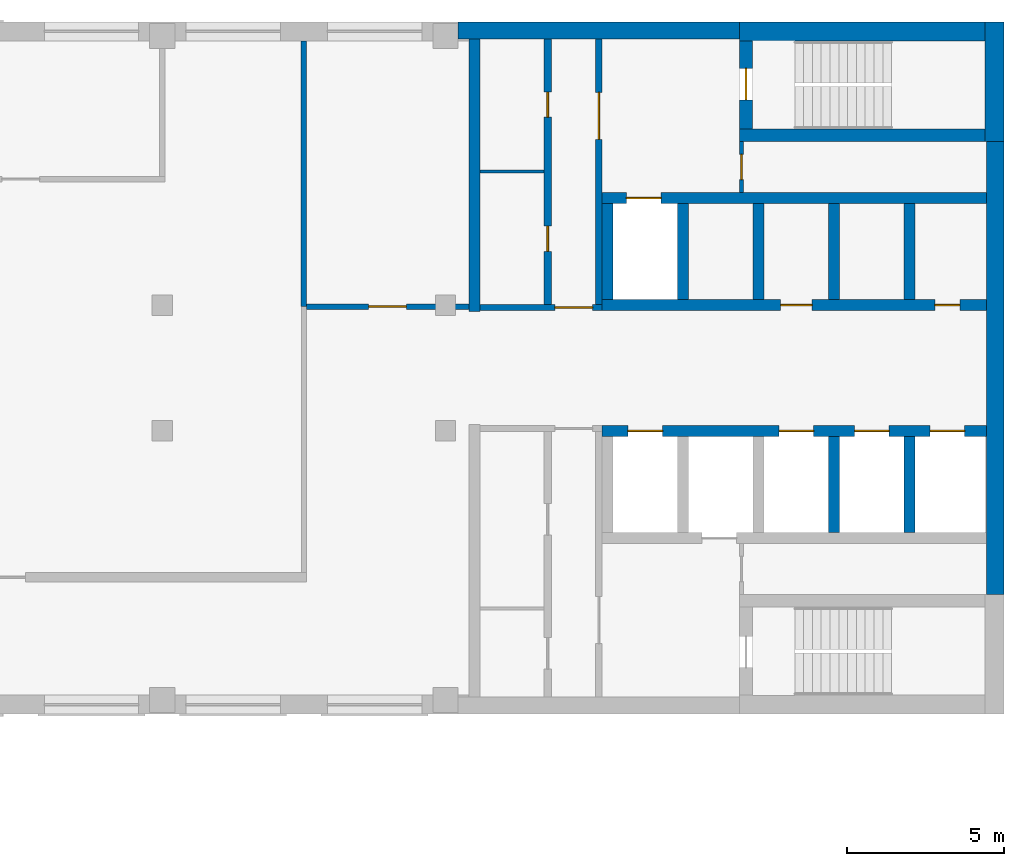
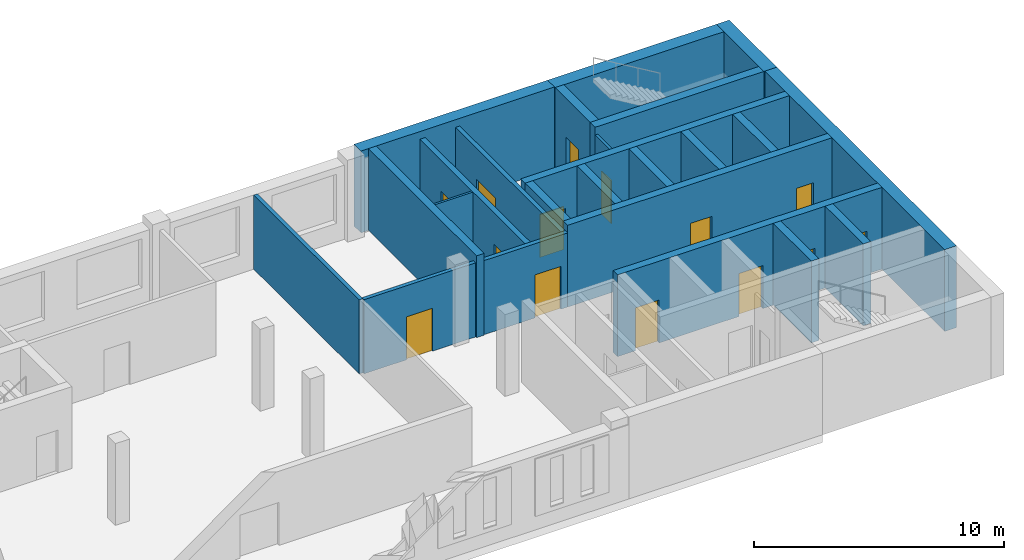
# One storey, part 6 of 8: 24 walls, 14 doors, 14 openings.
"""IFC4 building model written with IfcOpenShell, lengths in metres."""

from ifc_helpers import new_model, si_unit, direction, frame, frame_2d, origin, place, context, subcontext, project, spatial, rectangle, extrude, material, layer, layer_set, type_object, element, fill, save


model = new_model("IFC4")

# Units and contexts
model_context = context("Model", 3, precision=1e-05, world=origin(), true_north=direction((0.0, 1.0)))
body_context = subcontext(model_context, "Body", "Model", "MODEL_VIEW")
ifc_project = project(units=[si_unit("LENGTHUNIT", "METRE"), si_unit("AREAUNIT", "SQUARE_METRE"), si_unit("VOLUMEUNIT", "CUBIC_METRE"), si_unit("PLANEANGLEUNIT", "RADIAN"), si_unit("MASSUNIT", "GRAM", prefix="KILO")], contexts=[model_context])

# Site, building, storey
site_placement = place(None, origin())
site = spatial("IfcSite", under=ifc_project, at=site_placement, CompositionType="ELEMENT")
building_placement = place(site_placement, origin())
building = spatial("IfcBuilding", under=site, at=building_placement, Name="Skarvind Civic Tower", CompositionType="ELEMENT")
storey_placement = place(building_placement, frame((0.0, 0.0, 170.5)))
storey = spatial("IfcBuildingStorey", under=building, at=storey_placement, Name="L40", CompositionType="ELEMENT", Elevation=170.5)

# Wall
ifc_material_1 = material(Name="Acoustic gypsum board on steel studs", Category="steel")
ifc_layer_1 = layer(ifc_material_1, 0.175048828125)
ifc_layer_set_1 = layer_set([ifc_layer_1], Name="ACOUSTIC MEETING-ROOM PARTITION 175")
wall_type_1 = type_object("IfcWallType", Name="ACOUSTIC MEETING-ROOM PARTITION 175", PredefinedType="PARTITIONING", material=ifc_layer_set_1)
wall_1_placement = place(storey_placement, frame((85.75, 129.949951171875, 0.0), z_axis=(0.0, 0.0, 1.0), x_axis=(0.0, 1.0, 0.0)))
element("IfcWall", 1, at=wall_1_placement, inside=storey, type_object=wall_type_1, Name="Partition 40.044", PredefinedType="PARTITIONING", context=body_context, shape_type="SweptSolid", body=[
    extrude(rectangle(XDim=8.449951171875, YDim=0.175048828125, at=frame_2d((4.22509765625, 0.0))), origin(), (0.0, 0.0, 1.0), 3.625),
])

# Wall, opening, door
wall_2_placement = place(storey_placement, frame((85.837890625, 129.949951171875, 0.0), z_axis=(0.0, 0.0, 1.0), x_axis=(1.0, 0.0, 0.0)))
wall_2 = element("IfcWall", 2, at=wall_2_placement, inside=storey, type_object=wall_type_1, Name="Partition 40.045", PredefinedType="PARTITIONING", context=body_context, shape_type="SweptSolid", body=[
    extrude(rectangle(XDim=5.162109375, YDim=0.175048828125, at=frame_2d((2.5810546875, 0.0))), origin(), (0.0, 0.0, 1.0), 3.625),
])
opening_1_placement = place(wall_2_placement, frame((1.970947265625, 0.0, 0.0)))
opening_1 = element("IfcOpeningElement", 3, at=opening_1_placement, cuts=wall_2, Name="Opening L40-D001", PredefinedType="OPENING", context=body_context, shape_type="SweptSolid", body=[
    extrude(rectangle(XDim=1.199951171875, YDim=2.10009765625, at=frame_2d((0.60009765625, 1.050048828125))), frame((0.0, 0.097412109375, 0.0), z_axis=(0.0, -1.0, 0.0), x_axis=(1.0, 0.0, 0.0)), (0.0, 0.0, 1.0), 0.195068359375),
])
ifc_material_2 = material(Name="Timber door leaf", Category="wood")
door_type_1 = type_object("IfcDoorType", Name="DOOR 1200X2100 DOUBLE TIMBER", OperationType="NOTDEFINED", PredefinedType="DOOR", material=ifc_material_2)
door_1_placement = place(opening_1_placement, origin())
door_1 = element("IfcDoor", 4, at=door_1_placement, inside=storey, type_object=door_type_1, Name="Door L40-D001", OperationType="DOUBLE_DOOR_SINGLE_SWING", OverallHeight=2.10009765625, OverallWidth=1.199951171875, PredefinedType="DOOR", context=body_context, shape_type="SweptSolid", body=[
    extrude(rectangle(XDim=1.199951171875, YDim=2.10009765625, at=frame_2d((0.60009765625, 1.050048828125))), frame((0.0, 0.02490234375, 0.0), z_axis=(0.0, -1.0, 0.0), x_axis=(1.0, 0.0, 0.0)), (0.0, 0.0, 1.0), 0.050048828125),
])
fill(opening_1, door_1)

ifc_material_3 = material(Name="Fire-rated masonry partition", Category="masonry")
ifc_layer_2 = layer(ifc_material_3, 0.199951171875)
ifc_layer_set_2 = layer_set([ifc_layer_2], Name="Core enclosure wall 200")
wall_type_2 = type_object("IfcWallType", Name="Core enclosure wall 200", PredefinedType="PARTITIONING", material=ifc_layer_set_2)
wall_3_placement = place(storey_placement, frame((91.35009765625, 129.925048828125, 0.0), z_axis=(0.0, 0.0, 1.0), x_axis=(1.0, 0.0, 0.0)))
wall_3 = element("IfcWall", 5, at=wall_3_placement, inside=storey, type_object=wall_type_2, Name="Core wall C1", PredefinedType="PARTITIONING", context=body_context, shape_type="SweptSolid", body=[
    extrude(rectangle(XDim=3.875, YDim=0.199951171875, at=frame_2d((1.9375, 0.0))), origin(), (0.0, 0.0, 1.0), 3.625),
])
opening_2_placement = place(wall_3_placement, frame((2.375, 0.0, 0.0)))
opening_2 = element("IfcOpeningElement", 6, at=opening_2_placement, cuts=wall_3, Name="Opening D-L40-C1-13", PredefinedType="OPENING", context=body_context, shape_type="SweptSolid", body=[
    extrude(rectangle(XDim=1.199951171875, YDim=2.10009765625, at=frame_2d((0.60009765625, 1.050048828125))), frame((0.0, 0.10986328125, 0.0), z_axis=(0.0, -1.0, 0.0), x_axis=(1.0, 0.0, 0.0)), (0.0, 0.0, 1.0), 0.219970703125),
])
ifc_material_4 = material(Name="Fire-rated steel door", Category="steel")
door_type_2 = type_object("IfcDoorType", Name="Core lobby door 1200", OperationType="NOTDEFINED", PredefinedType="DOOR", material=ifc_material_4)
door_2_placement = place(opening_2_placement, origin())
door_2 = element("IfcDoor", 7, at=door_2_placement, inside=storey, type_object=door_type_2, Name="Fire door", OperationType="DOUBLE_DOOR_SINGLE_SWING", OverallHeight=2.10009765625, OverallWidth=1.199951171875, PredefinedType="DOOR", context=body_context, shape_type="SweptSolid", body=[
    extrude(rectangle(XDim=1.199951171875, YDim=2.10009765625, at=frame_2d((0.60009765625, 1.050048828125))), frame((0.0, 0.02490234375, 0.0), z_axis=(0.0, -1.0, 0.0), x_axis=(1.0, 0.0, 0.0)), (0.0, 0.0, 1.0), 0.050048828125),
])
fill(opening_2, door_2)

wall_4_placement = place(storey_placement, frame((95.125, 130.02490234375, 0.0), z_axis=(0.0, 0.0, 1.0), x_axis=(0.0, 1.0, 0.0)))
wall_4 = element("IfcWall", 8, at=wall_4_placement, inside=storey, type_object=wall_type_2, Name="Core wall C1", PredefinedType="PARTITIONING", context=body_context, shape_type="SweptSolid", body=[
    extrude(rectangle(XDim=8.425048828125, YDim=0.199951171875, at=frame_2d((4.21240234375, 0.0))), origin(), (0.0, 0.0, 1.0), 3.625),
])
opening_3_placement = place(wall_4_placement, frame((5.237548828125, 0.0, 0.0)))
opening_3 = element("IfcOpeningElement", 9, at=opening_3_placement, cuts=wall_4, Name="Opening D-L40-C1-14", PredefinedType="OPENING", context=body_context, shape_type="SweptSolid", body=[
    extrude(rectangle(XDim=1.5, YDim=2.10009765625, at=frame_2d((0.75, 1.050048828125))), frame((0.0, 0.10986328125, 0.0), z_axis=(0.0, -1.0, 0.0), x_axis=(1.0, 0.0, 0.0)), (0.0, 0.0, 1.0), 0.219970703125),
])
door_type_3 = type_object("IfcDoorType", Name="Fire door 1500", OperationType="NOTDEFINED", PredefinedType="DOOR", material=ifc_material_4)
door_3_placement = place(opening_3_placement, origin())
door_3 = element("IfcDoor", 10, at=door_3_placement, inside=storey, type_object=door_type_3, Name="Fire door", OperationType="DOUBLE_DOOR_SINGLE_SWING", OverallHeight=2.10009765625, OverallWidth=1.5, PredefinedType="DOOR", context=body_context, shape_type="SweptSolid", body=[
    extrude(rectangle(XDim=1.5, YDim=2.10009765625, at=frame_2d((0.75, 1.050048828125))), frame((0.0, 0.02490234375, 0.0), z_axis=(0.0, -1.0, 0.0), x_axis=(1.0, 0.0, 0.0)), (0.0, 0.0, 1.0), 0.050048828125),
])
fill(opening_3, door_3)

# Wall
ifc_material_5 = material(Name="Fire-rated plasterboard partition")
ifc_layer_3 = layer(ifc_material_5, 0.10009765625)
ifc_layer_set_3 = layer_set([ifc_layer_3], Name="Core partition wall 100")
wall_type_3 = type_object("IfcWallType", Name="Core partition wall 100", PredefinedType="PARTITIONING", material=ifc_layer_set_3)
wall_5_placement = place(storey_placement, frame((91.35009765625, 134.239990234375, 0.0), z_axis=(0.0, 0.0, 1.0), x_axis=(1.0, 0.0, 0.0)))
element("IfcWall", 11, at=wall_5_placement, inside=storey, type_object=wall_type_3, Name="Core wall C1", PredefinedType="PARTITIONING", context=body_context, shape_type="SweptSolid", body=[
    extrude(rectangle(XDim=2.02490234375, YDim=0.10009765625, at=frame_2d((1.012451171875, 0.0))), origin(), (0.0, 0.0, 1.0), 3.625),
])

# Wall, openings, doors
ifc_material_6 = material(Name="Concrete C60", Category="concrete")
ifc_layer_4 = layer(ifc_material_6, 0.35009765625)
ifc_layer_set_4 = layer_set([ifc_layer_4], Name="Core wall 350 C60")
wall_type_4 = type_object("IfcWallType", Name="Core wall 350 C60", PredefinedType="SHEAR", material=ifc_layer_set_4)
wall_6_placement = place(storey_placement, frame((107.449951171875, 130.0, 0.0), z_axis=(0.0, 0.0, 1.0), x_axis=(-1.0, 0.0, 0.0)))
wall_6 = element("IfcWall", 12, at=wall_6_placement, inside=storey, type_object=wall_type_4, Name="Core wall C1 south lift row front L40", PredefinedType="SHEAR", context=body_context, shape_type="SweptSolid", body=[
    extrude(rectangle(XDim=12.224853515625, YDim=0.35009765625, at=frame_2d((6.1123046875, 0.0))), origin(), (0.0, 0.0, 1.0), 4.0),
])
opening_4_placement = place(wall_6_placement, frame((0.85009765625, 0.0, 0.0)))
opening_4 = element("IfcOpeningElement", 13, at=opening_4_placement, cuts=wall_6, Name="Opening D-L40-C1-05", PredefinedType="OPENING", context=body_context, shape_type="SweptSolid", body=[
    extrude(rectangle(XDim=0.800048828125, YDim=2.10009765625, at=frame_2d((0.39990234375, 1.050048828125))), frame((0.0, 0.18505859375, 0.0), z_axis=(0.0, -1.0, 0.0), x_axis=(1.0, 0.0, 0.0)), (0.0, 0.0, 1.0), 0.3701171875),
])
opening_5_placement = place(wall_6_placement, frame((5.550048828125, 0.0, 0.0)))
opening_5 = element("IfcOpeningElement", 14, at=opening_5_placement, cuts=wall_6, Name="Opening D-L40-C1-06", PredefinedType="OPENING", context=body_context, shape_type="SweptSolid", body=[
    extrude(rectangle(XDim=1.0, YDim=2.10009765625, at=frame_2d((0.5, 1.050048828125))), frame((0.0, 0.18505859375, 0.0), z_axis=(0.0, -1.0, 0.0), x_axis=(1.0, 0.0, 0.0)), (0.0, 0.0, 1.0), 0.3701171875),
])
door_type_4 = type_object("IfcDoorType", Name="Core riser door 800", OperationType="NOTDEFINED", PredefinedType="DOOR", material=ifc_material_4)
door_4_placement = place(opening_4_placement, origin())
door_4 = element("IfcDoor", 15, at=door_4_placement, inside=storey, type_object=door_type_4, Name="Riser door", OperationType="SINGLE_SWING_LEFT", OverallHeight=2.10009765625, OverallWidth=0.800048828125, PredefinedType="DOOR", context=body_context, shape_type="SweptSolid", body=[
    extrude(rectangle(XDim=0.800048828125, YDim=2.10009765625, at=frame_2d((0.39990234375, 1.050048828125))), frame((0.0, 0.02490234375, 0.0), z_axis=(0.0, -1.0, 0.0), x_axis=(1.0, 0.0, 0.0)), (0.0, 0.0, 1.0), 0.050048828125),
])
fill(opening_4, door_4)
door_type_5 = type_object("IfcDoorType", Name="Fire door 1000", OperationType="NOTDEFINED", PredefinedType="DOOR", material=ifc_material_4)
door_5_placement = place(opening_5_placement, origin())
door_5 = element("IfcDoor", 16, at=door_5_placement, inside=storey, type_object=door_type_5, Name="Fire door", OperationType="SINGLE_SWING_RIGHT", OverallHeight=2.10009765625, OverallWidth=1.0, PredefinedType="DOOR", context=body_context, shape_type="SweptSolid", body=[
    extrude(rectangle(XDim=1.0, YDim=2.10009765625, at=frame_2d((0.5, 1.050048828125))), frame((0.0, 0.02490234375, 0.0), z_axis=(0.0, -1.0, 0.0), x_axis=(1.0, 0.0, 0.0)), (0.0, 0.0, 1.0), 0.050048828125),
])
fill(opening_5, door_5)

# Wall, opening, door
wall_7_placement = place(storey_placement, frame((107.449951171875, 133.39990234375, 0.0), z_axis=(0.0, 0.0, 1.0), x_axis=(-1.0, 0.0, 0.0)))
wall_7 = element("IfcWall", 17, at=wall_7_placement, inside=storey, type_object=wall_type_4, Name="Core wall C1 south lift row back L40", PredefinedType="SHEAR", context=body_context, shape_type="SweptSolid", body=[
    extrude(rectangle(XDim=12.224853515625, YDim=0.35009765625, at=frame_2d((6.1123046875, 0.0))), origin(), (0.0, 0.0, 1.0), 4.0),
])
opening_6_placement = place(wall_7_placement, frame((10.35009765625, 0.0, 0.0)))
opening_6 = element("IfcOpeningElement", 18, at=opening_6_placement, cuts=wall_7, Name="Opening LD42110", PredefinedType="OPENING", context=body_context, shape_type="SweptSolid", body=[
    extrude(rectangle(XDim=1.10009765625, YDim=2.10009765625, at=frame_2d((0.550048828125, 1.050048828125))), frame((0.0, 0.18505859375, 0.0), z_axis=(0.0, -1.0, 0.0), x_axis=(1.0, 0.0, 0.0)), (0.0, 0.0, 1.0), 0.3701171875),
])
ifc_material_7 = material(Name="Stainless steel landing door", Category="steel")
door_type_6 = type_object("IfcDoorType", Name="Lift landing door 1100", OperationType="DOUBLE_DOOR_SLIDING", PredefinedType="DOOR", material=ifc_material_7)
door_6_placement = place(opening_6_placement, origin())
door_6 = element("IfcDoor", 19, at=door_6_placement, inside=storey, type_object=door_type_6, Name="Lift landing door", OperationType="DOUBLE_DOOR_SLIDING", OverallHeight=2.10009765625, OverallWidth=1.10009765625, PredefinedType="DOOR", context=body_context, shape_type="SweptSolid", body=[
    extrude(rectangle(XDim=1.10009765625, YDim=2.10009765625, at=frame_2d((0.550048828125, 1.050048828125))), frame((0.0, 0.02490234375, 0.0), z_axis=(0.0, -1.0, 0.0), x_axis=(1.0, 0.0, 0.0)), (0.0, 0.0, 1.0), 0.050048828125),
])
fill(opening_6, door_6)

# Walls
for number, where, z_axis, x_axis, name in (
    (20, (105.0, 133.22509765625, 0.0), (0.0, 0.0, 1.0), (0.0, -1.0, 0.0), "Core wall C1 south lift row division 1 L40"),
    (21, (102.60009765625, 133.22509765625, 0.0), (0.0, 0.0, 1.0), (0.0, -1.0, 0.0), "Core wall C1 south lift row division 2 L40"),
    (22, (100.199951171875, 133.22509765625, 0.0), (0.0, 0.0, 1.0), (0.0, -1.0, 0.0), "Core wall C1 south lift row division 3 L40"),
    (23, (97.800048828125, 133.22509765625, 0.0), (0.0, 0.0, 1.0), (0.0, -1.0, 0.0), "Core wall C1 south lift row division 4 L40"),
    (24, (95.39990234375, 133.22509765625, 0.0), (0.0, 0.0, 1.0), (0.0, -1.0, 0.0), "Core wall C1 south lift row division 5 L40"),
):
    element("IfcWall", number, at=place(storey_placement, frame(where, z_axis=z_axis, x_axis=x_axis)), inside=storey, type_object=wall_type_4, Name=name, PredefinedType="SHEAR", context=body_context, shape_type="SweptSolid", body=[
        extrude(rectangle(XDim=3.050048828125, YDim=0.35009765625, at=frame_2d((1.52490234375, 0.0))), origin(), (0.0, 0.0, 1.0), 4.0),
    ])

# Wall, openings, doors
wall_8_placement = place(storey_placement, frame((107.449951171875, 126.0, 0.0), z_axis=(0.0, 0.0, 1.0), x_axis=(-1.0, 0.0, 0.0)))
wall_8 = element("IfcWall", 25, at=wall_8_placement, inside=storey, type_object=wall_type_4, Name="Core wall C1 north lift row front L40", PredefinedType="SHEAR", context=body_context, shape_type="SweptSolid", body=[
    extrude(rectangle(XDim=12.224853515625, YDim=0.35009765625, at=frame_2d((6.1123046875, 0.0))), origin(), (0.0, 0.0, 1.0), 4.0),
])
opening_7_placement = place(wall_8_placement, frame((0.699951171875, 0.0, 0.0)))
opening_7 = element("IfcOpeningElement", 26, at=opening_7_placement, cuts=wall_8, Name="Opening LD42101", PredefinedType="OPENING", context=body_context, shape_type="SweptSolid", body=[
    extrude(rectangle(XDim=1.10009765625, YDim=2.10009765625, at=frame_2d((0.550048828125, 1.050048828125))), frame((0.0, 0.18505859375, 0.0), z_axis=(0.0, -1.0, 0.0), x_axis=(1.0, 0.0, 0.0)), (0.0, 0.0, 1.0), 0.3701171875),
])
opening_8_placement = place(wall_8_placement, frame((3.10009765625, 0.0, 0.0)))
opening_8 = element("IfcOpeningElement", 27, at=opening_8_placement, cuts=wall_8, Name="Opening LD42102", PredefinedType="OPENING", context=body_context, shape_type="SweptSolid", body=[
    extrude(rectangle(XDim=1.10009765625, YDim=2.10009765625, at=frame_2d((0.550048828125, 1.050048828125))), frame((0.0, 0.18505859375, 0.0), z_axis=(0.0, -1.0, 0.0), x_axis=(1.0, 0.0, 0.0)), (0.0, 0.0, 1.0), 0.3701171875),
])
opening_9_placement = place(wall_8_placement, frame((5.5, 0.0, 0.0)))
opening_9 = element("IfcOpeningElement", 28, at=opening_9_placement, cuts=wall_8, Name="Opening LD42103", PredefinedType="OPENING", context=body_context, shape_type="SweptSolid", body=[
    extrude(rectangle(XDim=1.10009765625, YDim=2.10009765625, at=frame_2d((0.550048828125, 1.050048828125))), frame((0.0, 0.18505859375, 0.0), z_axis=(0.0, -1.0, 0.0), x_axis=(1.0, 0.0, 0.0)), (0.0, 0.0, 1.0), 0.3701171875),
])
opening_10_placement = place(wall_8_placement, frame((10.300048828125, 0.0, 0.0)))
opening_10 = element("IfcOpeningElement", 29, at=opening_10_placement, cuts=wall_8, Name="Opening LD42105", PredefinedType="OPENING", context=body_context, shape_type="SweptSolid", body=[
    extrude(rectangle(XDim=1.10009765625, YDim=2.10009765625, at=frame_2d((0.550048828125, 1.050048828125))), frame((0.0, 0.18505859375, 0.0), z_axis=(0.0, -1.0, 0.0), x_axis=(1.0, 0.0, 0.0)), (0.0, 0.0, 1.0), 0.3701171875),
])
door_7_placement = place(opening_7_placement, origin())
door_7 = element("IfcDoor", 30, at=door_7_placement, inside=storey, type_object=door_type_6, Name="Lift landing door", OperationType="DOUBLE_DOOR_SLIDING", OverallHeight=2.10009765625, OverallWidth=1.10009765625, PredefinedType="DOOR", context=body_context, shape_type="SweptSolid", body=[
    extrude(rectangle(XDim=1.10009765625, YDim=2.10009765625, at=frame_2d((0.550048828125, 1.050048828125))), frame((0.0, 0.02490234375, 0.0), z_axis=(0.0, -1.0, 0.0), x_axis=(1.0, 0.0, 0.0)), (0.0, 0.0, 1.0), 0.050048828125),
])
fill(opening_7, door_7)
door_8_placement = place(opening_8_placement, origin())
door_8 = element("IfcDoor", 31, at=door_8_placement, inside=storey, type_object=door_type_6, Name="Lift landing door", OperationType="DOUBLE_DOOR_SLIDING", OverallHeight=2.10009765625, OverallWidth=1.10009765625, PredefinedType="DOOR", context=body_context, shape_type="SweptSolid", body=[
    extrude(rectangle(XDim=1.10009765625, YDim=2.10009765625, at=frame_2d((0.550048828125, 1.050048828125))), frame((0.0, 0.02490234375, 0.0), z_axis=(0.0, -1.0, 0.0), x_axis=(1.0, 0.0, 0.0)), (0.0, 0.0, 1.0), 0.050048828125),
])
fill(opening_8, door_8)
door_9_placement = place(opening_9_placement, origin())
door_9 = element("IfcDoor", 32, at=door_9_placement, inside=storey, type_object=door_type_6, Name="Lift landing door", OperationType="DOUBLE_DOOR_SLIDING", OverallHeight=2.10009765625, OverallWidth=1.10009765625, PredefinedType="DOOR", context=body_context, shape_type="SweptSolid", body=[
    extrude(rectangle(XDim=1.10009765625, YDim=2.10009765625, at=frame_2d((0.550048828125, 1.050048828125))), frame((0.0, 0.02490234375, 0.0), z_axis=(0.0, -1.0, 0.0), x_axis=(1.0, 0.0, 0.0)), (0.0, 0.0, 1.0), 0.050048828125),
])
fill(opening_9, door_9)
door_10_placement = place(opening_10_placement, origin())
door_10 = element("IfcDoor", 33, at=door_10_placement, inside=storey, type_object=door_type_6, Name="Lift landing door", OperationType="DOUBLE_DOOR_SLIDING", OverallHeight=2.10009765625, OverallWidth=1.10009765625, PredefinedType="DOOR", context=body_context, shape_type="SweptSolid", body=[
    extrude(rectangle(XDim=1.10009765625, YDim=2.10009765625, at=frame_2d((0.550048828125, 1.050048828125))), frame((0.0, 0.02490234375, 0.0), z_axis=(0.0, -1.0, 0.0), x_axis=(1.0, 0.0, 0.0)), (0.0, 0.0, 1.0), 0.050048828125),
])
fill(opening_10, door_10)

# Walls
for number, where, z_axis, x_axis, name in (
    (34, (105.0, 125.824951171875, 0.0), (0.0, 0.0, 1.0), (0.0, -1.0, 0.0), "Core wall C1 north lift row division 1 L40"),
    (35, (102.60009765625, 125.824951171875, 0.0), (0.0, 0.0, 1.0), (0.0, -1.0, 0.0), "Core wall C1 north lift row division 2 L40"),
):
    element("IfcWall", number, at=place(storey_placement, frame(where, z_axis=z_axis, x_axis=x_axis)), inside=storey, type_object=wall_type_4, Name=name, PredefinedType="SHEAR", context=body_context, shape_type="SweptSolid", body=[
        extrude(rectangle(XDim=3.050048828125, YDim=0.35009765625, at=frame_2d((1.52490234375, 0.0))), origin(), (0.0, 0.0, 1.0), 4.0),
    ])
wall_9_placement = place(storey_placement, frame((91.175048828125, 138.449951171875, 0.0), z_axis=(0.0, 0.0, 1.0), x_axis=(0.0, -1.0, 0.0)))
element("IfcWall", 36, at=wall_9_placement, inside=storey, type_object=wall_type_4, Name="Core wall C1 south inner face L40", PredefinedType="SHEAR", context=body_context, shape_type="SweptSolid", body=[
    extrude(rectangle(XDim=8.64990234375, YDim=0.35009765625, at=frame_2d((4.324951171875, 0.0))), origin(), (0.0, 0.0, 1.0), 4.0),
])
ifc_layer_5 = layer(ifc_material_6, 0.39990234375)
ifc_layer_set_5 = layer_set([ifc_layer_5], Name="Core wall 400 C60")
wall_type_5 = type_object("IfcWallType", Name="Core wall 400 C60", PredefinedType="SHEAR", material=ifc_layer_set_5)
wall_10_placement = place(storey_placement, frame((107.39990234375, 135.39990234375, 0.0), z_axis=(0.0, 0.0, 1.0), x_axis=(-1.0, 0.0, 0.0)))
element("IfcWall", 37, at=wall_10_placement, inside=storey, type_object=wall_type_5, Name="Core wall C1 south stair inner L40", PredefinedType="SHEAR", context=body_context, shape_type="SweptSolid", body=[
    extrude(rectangle(XDim=7.7998046875, YDim=0.39990234375, at=frame_2d((3.89990234375, 0.0))), origin(), (0.0, 0.0, 1.0), 4.0),
])

# Wall, opening, door
wall_11_placement = place(storey_placement, frame((99.800048828125, 138.39990234375, 0.0), z_axis=(0.0, 0.0, 1.0), x_axis=(0.0, -1.0, 0.0)))
wall_11 = element("IfcWall", 38, at=wall_11_placement, inside=storey, type_object=wall_type_5, Name="Core wall C1 south stair end L40", PredefinedType="SHEAR", context=body_context, shape_type="SweptSolid", body=[
    extrude(rectangle(XDim=2.7998046875, YDim=0.39990234375, at=frame_2d((1.39990234375, 0.0))), origin(), (0.0, 0.0, 1.0), 4.0),
])
opening_11_placement = place(wall_11_placement, frame((0.875, 0.0, 0.0)))
opening_11 = element("IfcOpeningElement", 39, at=opening_11_placement, cuts=wall_11, Name="Opening D-L40-C1-15", PredefinedType="OPENING", context=body_context, shape_type="SweptSolid", body=[
    extrude(rectangle(XDim=1.0, YDim=2.10009765625, at=frame_2d((0.5, 1.050048828125))), frame((0.0, 0.2099609375, 0.0), z_axis=(0.0, -1.0, 0.0), x_axis=(1.0, 0.0, 0.0)), (0.0, 0.0, 1.0), 0.419921875),
])
door_11_placement = place(opening_11_placement, origin())
door_11 = element("IfcDoor", 40, at=door_11_placement, inside=storey, type_object=door_type_5, Name="Fire door", OperationType="SINGLE_SWING_RIGHT", OverallHeight=2.10009765625, OverallWidth=1.0, PredefinedType="DOOR", context=body_context, shape_type="SweptSolid", body=[
    extrude(rectangle(XDim=1.0, YDim=2.10009765625, at=frame_2d((0.5, 1.050048828125))), frame((0.0, 0.02490234375, 0.0), z_axis=(0.0, -1.0, 0.0), x_axis=(1.0, 0.0, 0.0)), (0.0, 0.0, 1.0), 0.050048828125),
])
fill(opening_11, door_11)

# Walls
ifc_layer_6 = layer(ifc_material_6, 0.550048828125)
ifc_layer_set_6 = layer_set([ifc_layer_6], Name="Core wall 550 C60")
wall_type_6 = type_object("IfcWallType", Name="Core wall 550 C60", PredefinedType="SHEAR", material=ifc_layer_set_6)
wall_12_placement = place(storey_placement, frame((107.72509765625, 135.199951171875, 0.0), z_axis=(0.0, 0.0, 1.0), x_axis=(0.0, -1.0, 0.0)))
element("IfcWall", 41, at=wall_12_placement, inside=storey, type_object=wall_type_6, Name="Core wall C1 tip between the stairs L40", PredefinedType="SHEAR", context=body_context, shape_type="SweptSolid", body=[
    extrude(rectangle(XDim=14.39990234375, YDim=0.550048828125, at=frame_2d((7.199951171875, 0.0))), origin(), (0.0, 0.0, 1.0), 4.0),
])
wall_13_placement = place(storey_placement, frame((99.60009765625, 138.72509765625, 0.0), z_axis=(0.0, 0.0, 1.0), x_axis=(-1.0, 0.0, 0.0)))
element("IfcWall", 42, at=wall_13_placement, inside=storey, type_object=wall_type_6, Name="Core wall C1 south side L40", PredefinedType="SHEAR", context=body_context, shape_type="SweptSolid", body=[
    extrude(rectangle(XDim=8.9501953125, YDim=0.550048828125, at=frame_2d((4.47509765625, 0.0))), origin(), (0.0, 0.0, 1.0), 4.0),
])
ifc_layer_7 = layer(ifc_material_6, 0.60009765625)
ifc_layer_set_7 = layer_set([ifc_layer_7], Name="Core wall 600 C60")
wall_type_7 = type_object("IfcWallType", Name="Core wall 600 C60", PredefinedType="SHEAR", material=ifc_layer_set_7)
wall_14_placement = place(storey_placement, frame((107.699951171875, 139.0, 0.0), z_axis=(0.0, 0.0, 1.0), x_axis=(0.0, -1.0, 0.0)))
element("IfcWall", 43, at=wall_14_placement, inside=storey, type_object=wall_type_7, Name="Core wall C1 tip at the south stair L40", PredefinedType="SHEAR", context=body_context, shape_type="SweptSolid", body=[
    extrude(rectangle(XDim=3.800048828125, YDim=0.60009765625, at=frame_2d((1.89990234375, 0.0))), origin(), (0.0, 0.0, 1.0), 4.0),
])
wall_15_placement = place(storey_placement, frame((107.39990234375, 138.699951171875, 0.0), z_axis=(0.0, 0.0, 1.0), x_axis=(-1.0, 0.0, 0.0)))
element("IfcWall", 44, at=wall_15_placement, inside=storey, type_object=wall_type_7, Name="Core wall C1 south side at the stair L40", PredefinedType="SHEAR", context=body_context, shape_type="SweptSolid", body=[
    extrude(rectangle(XDim=7.7998046875, YDim=0.60009765625, at=frame_2d((3.89990234375, 0.0))), origin(), (0.0, 0.0, 1.0), 4.0),
])

# Wall, opening, door
ifc_layer_8 = layer(ifc_material_3, 0.125)
ifc_layer_set_8 = layer_set([ifc_layer_8], Name="Riser wall 125")
wall_type_8 = type_object("IfcWallType", Name="Riser wall 125", PredefinedType="PARTITIONING", material=ifc_layer_set_8)
wall_16_placement = place(storey_placement, frame((99.66259765625, 133.574951171875, 0.0), z_axis=(0.0, 0.0, 1.0), x_axis=(0.0, 1.0, 0.0)))
wall_16 = element("IfcWall", 45, at=wall_16_placement, inside=storey, type_object=wall_type_8, Name="Core wall C1", PredefinedType="PARTITIONING", context=body_context, shape_type="SweptSolid", body=[
    extrude(rectangle(XDim=1.625, YDim=0.125, at=frame_2d((0.8125, 0.0))), origin(), (0.0, 0.0, 1.0), 3.625),
])
opening_12_placement = place(wall_16_placement, frame((0.41259765625, 0.0, 0.0)))
opening_12 = element("IfcOpeningElement", 46, at=opening_12_placement, cuts=wall_16, Name="Opening D-L40-C1-16", PredefinedType="OPENING", context=body_context, shape_type="SweptSolid", body=[
    extrude(rectangle(XDim=0.800048828125, YDim=2.10009765625, at=frame_2d((0.39990234375, 1.050048828125))), frame((0.0, 0.072509765625, 0.0), z_axis=(0.0, -1.0, 0.0), x_axis=(1.0, 0.0, 0.0)), (0.0, 0.0, 1.0), 0.14501953125),
])
door_12_placement = place(opening_12_placement, origin())
door_12 = element("IfcDoor", 47, at=door_12_placement, inside=storey, type_object=door_type_4, Name="Riser door", OperationType="SINGLE_SWING_LEFT", OverallHeight=2.10009765625, OverallWidth=0.800048828125, PredefinedType="DOOR", context=body_context, shape_type="SweptSolid", body=[
    extrude(rectangle(XDim=0.800048828125, YDim=2.10009765625, at=frame_2d((0.39990234375, 1.050048828125))), frame((0.0, 0.02490234375, 0.0), z_axis=(0.0, -1.0, 0.0), x_axis=(1.0, 0.0, 0.0)), (0.0, 0.0, 1.0), 0.050048828125),
])
fill(opening_12, door_12)

# Wall, openings, doors
ifc_layer_9 = layer(ifc_material_3, 0.25)
ifc_layer_set_9 = layer_set([ifc_layer_9], Name="Service block wall 250")
wall_type_9 = type_object("IfcWallType", Name="Service block wall 250", PredefinedType="PARTITIONING", material=ifc_layer_set_9)
wall_17_placement = place(storey_placement, frame((93.5, 130.02490234375, 0.0), z_axis=(0.0, 0.0, 1.0), x_axis=(0.0, 1.0, 0.0)))
wall_17 = element("IfcWall", 48, at=wall_17_placement, inside=storey, type_object=wall_type_9, Name="Core wall C1", PredefinedType="PARTITIONING", context=body_context, shape_type="SweptSolid", body=[
    extrude(rectangle(XDim=8.425048828125, YDim=0.25, at=frame_2d((4.21240234375, 0.0))), origin(), (0.0, 0.0, 1.0), 3.625),
])
opening_13_placement = place(wall_17_placement, frame((1.6826171875, 0.0, 0.0)))
opening_13 = element("IfcOpeningElement", 49, at=opening_13_placement, cuts=wall_17, Name="Opening D-L40-C1-17", PredefinedType="OPENING", context=body_context, shape_type="SweptSolid", body=[
    extrude(rectangle(XDim=0.800048828125, YDim=2.10009765625, at=frame_2d((0.39990234375, 1.050048828125))), frame((0.0, 0.135009765625, 0.0), z_axis=(0.0, -1.0, 0.0), x_axis=(1.0, 0.0, 0.0)), (0.0, 0.0, 1.0), 0.27001953125),
])
opening_14_placement = place(wall_17_placement, frame((5.945068359375, 0.0, 0.0)))
opening_14 = element("IfcOpeningElement", 50, at=opening_14_placement, cuts=wall_17, Name="Opening D-L40-C1-18", PredefinedType="OPENING", context=body_context, shape_type="SweptSolid", body=[
    extrude(rectangle(XDim=0.800048828125, YDim=2.10009765625, at=frame_2d((0.39990234375, 1.050048828125))), frame((0.0, 0.135009765625, 0.0), z_axis=(0.0, -1.0, 0.0), x_axis=(1.0, 0.0, 0.0)), (0.0, 0.0, 1.0), 0.27001953125),
])
door_13_placement = place(opening_13_placement, origin())
door_13 = element("IfcDoor", 51, at=door_13_placement, inside=storey, type_object=door_type_4, Name="Riser door", OperationType="SINGLE_SWING_RIGHT", OverallHeight=2.10009765625, OverallWidth=0.800048828125, PredefinedType="DOOR", context=body_context, shape_type="SweptSolid", body=[
    extrude(rectangle(XDim=0.800048828125, YDim=2.10009765625, at=frame_2d((0.39990234375, 1.050048828125))), frame((0.0, 0.02490234375, 0.0), z_axis=(0.0, -1.0, 0.0), x_axis=(1.0, 0.0, 0.0)), (0.0, 0.0, 1.0), 0.050048828125),
])
fill(opening_13, door_13)
door_14_placement = place(opening_14_placement, origin())
door_14 = element("IfcDoor", 52, at=door_14_placement, inside=storey, type_object=door_type_4, Name="Riser door", OperationType="SINGLE_SWING_LEFT", OverallHeight=2.10009765625, OverallWidth=0.800048828125, PredefinedType="DOOR", context=body_context, shape_type="SweptSolid", body=[
    extrude(rectangle(XDim=0.800048828125, YDim=2.10009765625, at=frame_2d((0.39990234375, 1.050048828125))), frame((0.0, 0.02490234375, 0.0), z_axis=(0.0, -1.0, 0.0), x_axis=(1.0, 0.0, 0.0)), (0.0, 0.0, 1.0), 0.050048828125),
])
fill(opening_14, door_14)

save(model, "model.ifc")
